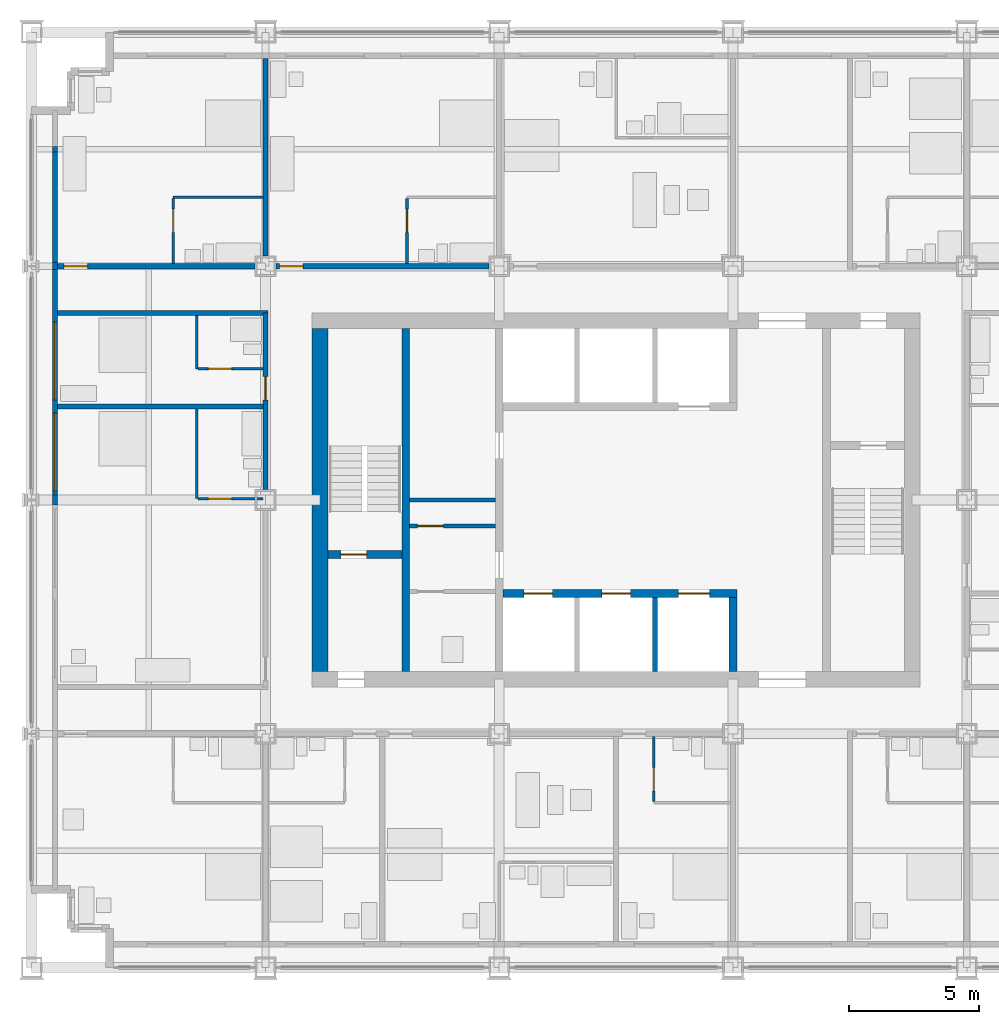
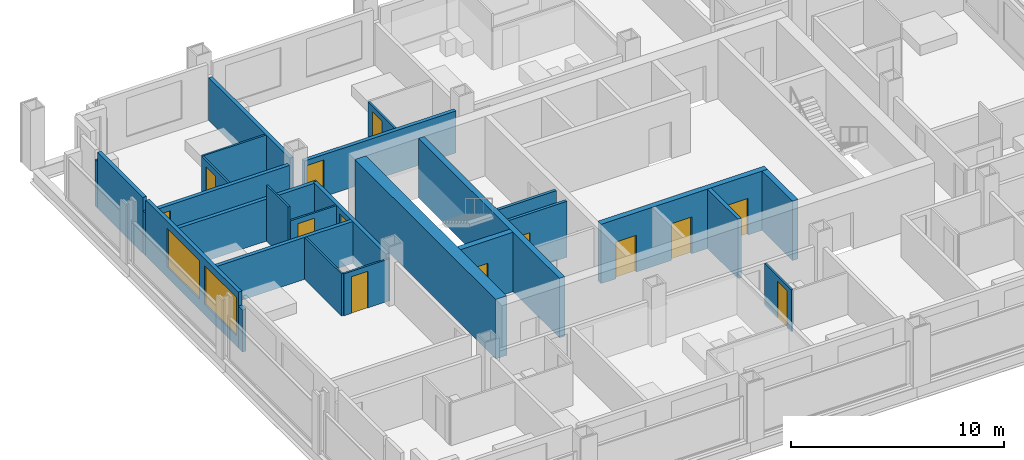
# One storey, part 10 of 16: 27 walls, 13 doors, 2 windows, 15 openings.
"""IFC4 building model written with IfcOpenShell, lengths in metres."""

from ifc_helpers import new_model, si_unit, direction, frame, frame_2d, origin, place, context, subcontext, project, spatial, rectangle, extrude, material, layer, layer_set, type_object, element, fill, save


model = new_model("IFC4")

# Units and contexts
model_context = context("Model", 3, precision=1e-05, world=origin(), true_north=direction((0.0, 1.0)))
body_context = subcontext(model_context, "Body", "Model", "MODEL_VIEW")
ifc_project = project(units=[si_unit("LENGTHUNIT", "METRE"), si_unit("AREAUNIT", "SQUARE_METRE"), si_unit("VOLUMEUNIT", "CUBIC_METRE"), si_unit("PLANEANGLEUNIT", "RADIAN"), si_unit("MASSUNIT", "GRAM", prefix="KILO")], contexts=[model_context])

# Site, building, storey
site_placement = place(None, origin())
site = spatial("IfcSite", under=ifc_project, at=site_placement, CompositionType="ELEMENT")
building_placement = place(site_placement, origin())
building = spatial("IfcBuilding", under=site, at=building_placement, Name="Loomwork Tower", CompositionType="ELEMENT")
storey_placement = place(building_placement, frame((0.0, 0.0, 121.39990234375)))
storey = spatial("IfcBuildingStorey", under=building, at=storey_placement, Name="L32", CompositionType="ELEMENT", Elevation=121.39990234375)

# Wall
ifc_material_1 = material(Name="Concrete 14000 psi (97 MPa)", Category="concrete")
ifc_layer_1 = layer(ifc_material_1, 0.300048828125)
ifc_layer_set_1 = layer_set([ifc_layer_1], Name="Core shear wall 300")
wall_type_1 = type_object("IfcWallType", Name="Core shear wall 300", PredefinedType="SHEAR", material=ifc_layer_set_1)
wall_1_placement = place(storey_placement, frame((14.39990234375, 11.39990234375, 0.0), z_axis=(0.0, 0.0, 1.0), x_axis=(0.0, 1.0, 0.0)))
element("IfcWall", 1, at=wall_1_placement, inside=storey, type_object=wall_type_1, Name="Stair A east wall L32", PredefinedType="SHEAR", context=body_context, shape_type="SweptSolid", body=[
    extrude(rectangle(XDim=13.2001953125, YDim=0.300048828125, at=frame_2d((6.60009765625, 0.0))), origin(), (0.0, 0.0, 1.0), 3.400146484375),
])

# Wall, opening, door
wall_2_placement = place(storey_placement, frame((11.39990234375, 15.89990234375, 0.0), z_axis=(0.0, 0.0, 1.0), x_axis=(1.0, 0.0, 0.0)))
wall_2 = element("IfcWall", 2, at=wall_2_placement, inside=storey, type_object=wall_type_1, Name="Stair A south wall L32", PredefinedType="SHEAR", context=body_context, shape_type="SweptSolid", body=[
    extrude(rectangle(XDim=2.85009765625, YDim=0.300048828125, at=frame_2d((1.425048828125, 0.0))), origin(), (0.0, 0.0, 1.0), 3.400146484375),
])
opening_1_placement = place(wall_2_placement, frame((0.5, 0.0, 0.0)))
opening_1 = element("IfcOpeningElement", 3, at=opening_1_placement, cuts=wall_2, Name="Opening D4", PredefinedType="OPENING", context=body_context, shape_type="SweptSolid", body=[
    extrude(rectangle(XDim=1.0, YDim=2.10009765625, at=frame_2d((0.5, 1.050048828125))), frame((0.0, 0.159912109375, 0.0), z_axis=(0.0, -1.0, 0.0), x_axis=(1.0, 0.0, 0.0)), (0.0, 0.0, 1.0), 0.320068359375),
])
ifc_material_2 = material(Name="Hollow metal door and frame")
door_type_1 = type_object("IfcDoorType", Name="Stair door 1000", OperationType="SINGLE_SWING_RIGHT", PredefinedType="DOOR", material=ifc_material_2)
door_1_placement = place(opening_1_placement, origin())
door_1 = element("IfcDoor", 4, at=door_1_placement, inside=storey, type_object=door_type_1, Name="Stair A door", OperationType="SINGLE_SWING_LEFT", OverallHeight=2.10009765625, OverallWidth=1.0, PredefinedType="DOOR", context=body_context, shape_type="SweptSolid", body=[
    extrude(rectangle(XDim=1.0, YDim=2.10009765625, at=frame_2d((0.5, 1.050048828125))), frame((0.0, 0.02490234375, 0.0), z_axis=(0.0, -1.0, 0.0), x_axis=(1.0, 0.0, 0.0)), (0.0, 0.0, 1.0), 0.050048828125),
])
fill(opening_1, door_1)

# Wall, openings, doors
wall_3_placement = place(storey_placement, frame((18.14990234375, 14.39990234375, 0.0), z_axis=(0.0, 0.0, 1.0), x_axis=(1.0, 0.0, 0.0)))
wall_3 = element("IfcWall", 5, at=wall_3_placement, inside=storey, type_object=wall_type_1, Name="Lift front wall south L32", PredefinedType="SHEAR", context=body_context, shape_type="SweptSolid", body=[
    extrude(rectangle(XDim=9.0, YDim=0.300048828125, at=frame_2d((4.5, 0.0))), origin(), (0.0, 0.0, 1.0), 3.400146484375),
])
opening_2_placement = place(wall_3_placement, frame((0.800048828125, 0.0, 0.0)))
opening_2 = element("IfcOpeningElement", 6, at=opening_2_placement, cuts=wall_3, Name="Opening LD1", PredefinedType="OPENING", context=body_context, shape_type="SweptSolid", body=[
    extrude(rectangle(XDim=1.10009765625, YDim=2.10009765625, at=frame_2d((0.550048828125, 1.050048828125))), frame((0.0, 0.159912109375, 0.0), z_axis=(0.0, -1.0, 0.0), x_axis=(1.0, 0.0, 0.0)), (0.0, 0.0, 1.0), 0.320068359375),
])
opening_3_placement = place(wall_3_placement, frame((3.800048828125, 0.0, 0.0)))
opening_3 = element("IfcOpeningElement", 7, at=opening_3_placement, cuts=wall_3, Name="Opening LD1", PredefinedType="OPENING", context=body_context, shape_type="SweptSolid", body=[
    extrude(rectangle(XDim=1.10009765625, YDim=2.10009765625, at=frame_2d((0.550048828125, 1.050048828125))), frame((0.0, 0.159912109375, 0.0), z_axis=(0.0, -1.0, 0.0), x_axis=(1.0, 0.0, 0.0)), (0.0, 0.0, 1.0), 0.320068359375),
])
opening_4_placement = place(wall_3_placement, frame((6.75, 0.0, 0.0)))
opening_4 = element("IfcOpeningElement", 8, at=opening_4_placement, cuts=wall_3, Name="Opening LD2", PredefinedType="OPENING", context=body_context, shape_type="SweptSolid", body=[
    extrude(rectangle(XDim=1.199951171875, YDim=2.10009765625, at=frame_2d((0.60009765625, 1.050048828125))), frame((0.0, 0.159912109375, 0.0), z_axis=(0.0, -1.0, 0.0), x_axis=(1.0, 0.0, 0.0)), (0.0, 0.0, 1.0), 0.320068359375),
])
ifc_material_3 = material(Name="Hollow metal door and frame")
door_type_2 = type_object("IfcDoorType", Name="Lift landing door 1100", OperationType="SLIDING_TO_LEFT", PredefinedType="DOOR", material=ifc_material_3)
door_2_placement = place(opening_2_placement, origin())
door_2 = element("IfcDoor", 9, at=door_2_placement, inside=storey, type_object=door_type_2, Name="Lift landing door LB1", OperationType="SLIDING_TO_LEFT", OverallHeight=2.10009765625, OverallWidth=1.10009765625, PredefinedType="DOOR", context=body_context, shape_type="SweptSolid", body=[
    extrude(rectangle(XDim=1.10009765625, YDim=2.10009765625, at=frame_2d((0.550048828125, 1.050048828125))), frame((0.0, 0.02490234375, 0.0), z_axis=(0.0, -1.0, 0.0), x_axis=(1.0, 0.0, 0.0)), (0.0, 0.0, 1.0), 0.050048828125),
])
fill(opening_2, door_2)
door_3_placement = place(opening_3_placement, origin())
door_3 = element("IfcDoor", 10, at=door_3_placement, inside=storey, type_object=door_type_2, Name="Lift landing door LB2", OperationType="SLIDING_TO_LEFT", OverallHeight=2.10009765625, OverallWidth=1.10009765625, PredefinedType="DOOR", context=body_context, shape_type="SweptSolid", body=[
    extrude(rectangle(XDim=1.10009765625, YDim=2.10009765625, at=frame_2d((0.550048828125, 1.050048828125))), frame((0.0, 0.02490234375, 0.0), z_axis=(0.0, -1.0, 0.0), x_axis=(1.0, 0.0, 0.0)), (0.0, 0.0, 1.0), 0.050048828125),
])
fill(opening_3, door_3)
ifc_material_4 = material(Name="Hollow metal door and frame")
door_type_3 = type_object("IfcDoorType", Name="Lift landing door 1200", OperationType="SLIDING_TO_LEFT", PredefinedType="DOOR", material=ifc_material_4)
door_4_placement = place(opening_4_placement, origin())
door_4 = element("IfcDoor", 11, at=door_4_placement, inside=storey, type_object=door_type_3, Name="Lift landing door LF1", OperationType="SLIDING_TO_LEFT", OverallHeight=2.10009765625, OverallWidth=1.199951171875, PredefinedType="DOOR", context=body_context, shape_type="SweptSolid", body=[
    extrude(rectangle(XDim=1.199951171875, YDim=2.10009765625, at=frame_2d((0.60009765625, 1.050048828125))), frame((0.0, 0.02490234375, 0.0), z_axis=(0.0, -1.0, 0.0), x_axis=(1.0, 0.0, 0.0)), (0.0, 0.0, 1.0), 0.050048828125),
])
fill(opening_4, door_4)

# Walls
wall_4_placement = place(storey_placement, frame((27.0, 11.39990234375, 0.0), z_axis=(0.0, 0.0, 1.0), x_axis=(0.0, 1.0, 0.0)))
element("IfcWall", 12, at=wall_4_placement, inside=storey, type_object=wall_type_1, Name="Lift shaft end wall south L32", PredefinedType="SHEAR", context=body_context, shape_type="SweptSolid", body=[
    extrude(rectangle(XDim=2.85009765625, YDim=0.300048828125, at=frame_2d((1.425048828125, 0.0))), origin(), (0.0, 0.0, 1.0), 3.400146484375),
])
ifc_material_5 = material(Name="Concrete 14000 psi (97 MPa)", Category="concrete")
ifc_layer_2 = layer(ifc_material_5, 0.60009765625)
ifc_layer_set_2 = layer_set([ifc_layer_2], Name="Core shear wall 600")
wall_type_2 = type_object("IfcWallType", Name="Core shear wall 600", PredefinedType="SHEAR", material=ifc_layer_set_2)
wall_5_placement = place(storey_placement, frame((11.10009765625, 11.39990234375, 0.0), z_axis=(0.0, 0.0, 1.0), x_axis=(0.0, 1.0, 0.0)))
element("IfcWall", 13, at=wall_5_placement, inside=storey, type_object=wall_type_2, Name="Core wall west L32", PredefinedType="SHEAR", context=body_context, shape_type="SweptSolid", body=[
    extrude(rectangle(XDim=13.2001953125, YDim=0.60009765625, at=frame_2d((6.60009765625, 0.0))), origin(), (0.0, 0.0, 1.0), 3.400146484375),
])

# Wall, opening, door
ifc_material_6 = material(Name="Gypsum board on steel studs, one-hour", Category="steel")
ifc_layer_3 = layer(ifc_material_6, 0.199951171875)
ifc_layer_set_3 = layer_set([ifc_layer_3], Name="Corridor wall 200")
wall_type_3 = type_object("IfcWallType", Name="Corridor wall 200", PredefinedType="PARTITIONING", material=ifc_layer_set_3)
wall_6_placement = place(storey_placement, frame((1.0, 27.0, 0.0), z_axis=(0.0, 0.0, 1.0), x_axis=(1.0, 0.0, 0.0)))
wall_6 = element("IfcWall", 14, at=wall_6_placement, inside=storey, type_object=wall_type_3, Name="North corridor wall 1", PredefinedType="PARTITIONING", context=body_context, shape_type="SweptSolid", body=[
    extrude(rectangle(XDim=7.60009765625, YDim=0.199951171875, at=frame_2d((3.800048828125, 0.0))), origin(), (0.0, 0.0, 1.0), 2.43798828125),
])
opening_5_placement = place(wall_6_placement, frame((0.25, 0.0, 0.0)))
opening_5 = element("IfcOpeningElement", 15, at=opening_5_placement, cuts=wall_6, Name="Opening D1", PredefinedType="OPENING", context=body_context, shape_type="SweptSolid", body=[
    extrude(rectangle(XDim=0.89990234375, YDim=2.10009765625, at=frame_2d((0.449951171875, 1.050048828125))), frame((0.0, 0.10986328125, 0.0), z_axis=(0.0, -1.0, 0.0), x_axis=(1.0, 0.0, 0.0)), (0.0, 0.0, 1.0), 0.219970703125),
])
ifc_material_7 = material(Name="Hollow metal door and frame")
door_type_4 = type_object("IfcDoorType", Name="Guest room entry door 900", OperationType="SINGLE_SWING_LEFT", PredefinedType="DOOR", material=ifc_material_7)
door_5_placement = place(opening_5_placement, origin())
door_5 = element("IfcDoor", 16, at=door_5_placement, inside=storey, type_object=door_type_4, Name="Guest room entry door L32 7", OperationType="SINGLE_SWING_LEFT", OverallHeight=2.10009765625, OverallWidth=0.89990234375, PredefinedType="DOOR", context=body_context, shape_type="SweptSolid", body=[
    extrude(rectangle(XDim=0.89990234375, YDim=2.10009765625, at=frame_2d((0.449951171875, 1.050048828125))), frame((0.0, 0.02490234375, 0.0), z_axis=(0.0, -1.0, 0.0), x_axis=(1.0, 0.0, 0.0)), (0.0, 0.0, 1.0), 0.050048828125),
])
fill(opening_5, door_5)

wall_7_placement = place(storey_placement, frame((9.39990234375, 27.0, 0.0), z_axis=(0.0, 0.0, 1.0), x_axis=(1.0, 0.0, 0.0)))
wall_7 = element("IfcWall", 17, at=wall_7_placement, inside=storey, type_object=wall_type_3, Name="North corridor wall 2", PredefinedType="PARTITIONING", context=body_context, shape_type="SweptSolid", body=[
    extrude(rectangle(XDim=8.2001953125, YDim=0.199951171875, at=frame_2d((4.10009765625, 0.0))), origin(), (0.0, 0.0, 1.0), 2.405029296875),
])
opening_6_placement = place(wall_7_placement, frame((0.14990234375, 0.0, 0.0)))
opening_6 = element("IfcOpeningElement", 18, at=opening_6_placement, cuts=wall_7, Name="Opening D1", PredefinedType="OPENING", context=body_context, shape_type="SweptSolid", body=[
    extrude(rectangle(XDim=0.89990234375, YDim=2.10009765625, at=frame_2d((0.449951171875, 1.050048828125))), frame((0.0, 0.10986328125, 0.0), z_axis=(0.0, -1.0, 0.0), x_axis=(1.0, 0.0, 0.0)), (0.0, 0.0, 1.0), 0.219970703125),
])
door_6_placement = place(opening_6_placement, origin())
door_6 = element("IfcDoor", 19, at=door_6_placement, inside=storey, type_object=door_type_4, Name="Guest room entry door L32 8", OperationType="SINGLE_SWING_LEFT", OverallHeight=2.10009765625, OverallWidth=0.89990234375, PredefinedType="DOOR", context=body_context, shape_type="SweptSolid", body=[
    extrude(rectangle(XDim=0.89990234375, YDim=2.10009765625, at=frame_2d((0.449951171875, 1.050048828125))), frame((0.0, 0.02490234375, 0.0), z_axis=(0.0, -1.0, 0.0), x_axis=(1.0, 0.0, 0.0)), (0.0, 0.0, 1.0), 0.050048828125),
])
fill(opening_6, door_6)

wall_8_placement = place(storey_placement, frame((9.0, 18.39990234375, 0.0), z_axis=(0.0, 0.0, 1.0), x_axis=(0.0, 1.0, 0.0)))
wall_8 = element("IfcWall", 20, at=wall_8_placement, inside=storey, type_object=wall_type_3, Name="West corridor wall 2", PredefinedType="PARTITIONING", context=body_context, shape_type="SweptSolid", body=[
    extrude(rectangle(XDim=6.800048828125, YDim=0.199951171875, at=frame_2d((3.39990234375, 0.0))), origin(), (0.0, 0.0, 1.0), 2.405029296875),
])
opening_7_placement = place(wall_8_placement, frame((3.449951171875, 0.0, 0.0)))
opening_7 = element("IfcOpeningElement", 21, at=opening_7_placement, cuts=wall_8, Name="Opening D1", PredefinedType="OPENING", context=body_context, shape_type="SweptSolid", body=[
    extrude(rectangle(XDim=0.89990234375, YDim=2.10009765625, at=frame_2d((0.449951171875, 1.050048828125))), frame((0.0, 0.10986328125, 0.0), z_axis=(0.0, -1.0, 0.0), x_axis=(1.0, 0.0, 0.0)), (0.0, 0.0, 1.0), 0.219970703125),
])
door_7_placement = place(opening_7_placement, origin())
door_7 = element("IfcDoor", 22, at=door_7_placement, inside=storey, type_object=door_type_4, Name="Guest room entry door L32 13", OperationType="SINGLE_SWING_LEFT", OverallHeight=2.10009765625, OverallWidth=0.89990234375, PredefinedType="DOOR", context=body_context, shape_type="SweptSolid", body=[
    extrude(rectangle(XDim=0.89990234375, YDim=2.10009765625, at=frame_2d((0.449951171875, 1.050048828125))), frame((0.0, 0.02490234375, 0.0), z_axis=(0.0, -1.0, 0.0), x_axis=(1.0, 0.0, 0.0)), (0.0, 0.0, 1.0), 0.050048828125),
])
fill(opening_7, door_7)

# Wall
wall_9_placement = place(storey_placement, frame((1.0, 25.199951171875, 0.0), z_axis=(0.0, 0.0, 1.0), x_axis=(1.0, 0.0, 0.0)))
element("IfcWall", 23, at=wall_9_placement, inside=storey, type_object=wall_type_3, Name="West band end wall N", PredefinedType="PARTITIONING", context=body_context, shape_type="SweptSolid", body=[
    extrude(rectangle(XDim=8.10009765625, YDim=0.199951171875, at=frame_2d((4.050048828125, 0.0))), origin(), (0.0, 0.0, 1.0), 2.404052734375),
])

# Wall, opening, door
ifc_material_8 = material(Name="Cement board on steel studs", Category="steel")
ifc_layer_4 = layer(ifc_material_8, 0.10009765625)
ifc_layer_set_4 = layer_set([ifc_layer_4], Name="En-suite partition 100")
wall_type_4 = type_object("IfcWallType", Name="En-suite partition 100", PredefinedType="PARTITIONING", material=ifc_layer_set_4)
wall_10_placement = place(storey_placement, frame((23.949951171875, 8.89990234375, 0.0), z_axis=(0.0, 0.0, 1.0), x_axis=(0.0, -1.0, 0.0)))
wall_10 = element("IfcWall", 24, at=wall_10_placement, inside=storey, type_object=wall_type_4, Name="En-suite side wall L32 room 4", PredefinedType="PARTITIONING", context=body_context, shape_type="SweptSolid", body=[
    extrude(rectangle(XDim=2.5, YDim=0.10009765625, at=frame_2d((1.25, 0.0))), origin(), (0.0, 0.0, 1.0), 2.404052734375),
])
opening_8_placement = place(wall_10_placement, frame((1.199951171875, 0.0, 0.0)))
opening_8 = element("IfcOpeningElement", 25, at=opening_8_placement, cuts=wall_10, Name="Opening D2", PredefinedType="OPENING", context=body_context, shape_type="SweptSolid", body=[
    extrude(rectangle(XDim=0.89990234375, YDim=2.10009765625, at=frame_2d((0.449951171875, 1.050048828125))), frame((0.0, 0.06005859375, 0.0), z_axis=(0.0, -1.0, 0.0), x_axis=(1.0, 0.0, 0.0)), (0.0, 0.0, 1.0), 0.1201171875),
])
ifc_material_9 = material(Name="Hollow metal door and frame")
door_type_5 = type_object("IfcDoorType", Name="En-suite door 900", OperationType="SINGLE_SWING_LEFT", PredefinedType="DOOR", material=ifc_material_9)
door_8_placement = place(opening_8_placement, origin())
door_8 = element("IfcDoor", 26, at=door_8_placement, inside=storey, type_object=door_type_5, Name="En-suite door room 4", OperationType="SINGLE_SWING_RIGHT", OverallHeight=2.10009765625, OverallWidth=0.89990234375, PredefinedType="DOOR", context=body_context, shape_type="SweptSolid", body=[
    extrude(rectangle(XDim=0.89990234375, YDim=2.10009765625, at=frame_2d((0.449951171875, 1.050048828125))), frame((0.0, 0.02490234375, 0.0), z_axis=(0.0, -1.0, 0.0), x_axis=(1.0, 0.0, 0.0)), (0.0, 0.0, 1.0), 0.050048828125),
])
fill(opening_8, door_8)

# Wall
wall_11_placement = place(storey_placement, frame((5.449951171875, 29.64990234375, 0.0), z_axis=(0.0, 0.0, 1.0), x_axis=(1.0, 0.0, 0.0)))
element("IfcWall", 27, at=wall_11_placement, inside=storey, type_object=wall_type_4, Name="En-suite wall L32 room 7", PredefinedType="PARTITIONING", context=body_context, shape_type="SweptSolid", body=[
    extrude(rectangle(XDim=3.449951171875, YDim=0.10009765625, at=frame_2d((1.72509765625, 0.0))), origin(), (0.0, 0.0, 1.0), 2.43798828125),
])

# Wall, opening, door
wall_12_placement = place(storey_placement, frame((5.449951171875, 27.10009765625, 0.0), z_axis=(0.0, 0.0, 1.0), x_axis=(0.0, 1.0, 0.0)))
wall_12 = element("IfcWall", 28, at=wall_12_placement, inside=storey, type_object=wall_type_4, Name="En-suite side wall L32 room 7", PredefinedType="PARTITIONING", context=body_context, shape_type="SweptSolid", body=[
    extrude(rectangle(XDim=2.5, YDim=0.10009765625, at=frame_2d((1.25, 0.0))), origin(), (0.0, 0.0, 1.0), 2.43798828125),
])
opening_9_placement = place(wall_12_placement, frame((1.199951171875, 0.0, 0.0)))
opening_9 = element("IfcOpeningElement", 29, at=opening_9_placement, cuts=wall_12, Name="Opening D2", PredefinedType="OPENING", context=body_context, shape_type="SweptSolid", body=[
    extrude(rectangle(XDim=0.89990234375, YDim=2.10009765625, at=frame_2d((0.449951171875, 1.050048828125))), frame((0.0, 0.06005859375, 0.0), z_axis=(0.0, -1.0, 0.0), x_axis=(1.0, 0.0, 0.0)), (0.0, 0.0, 1.0), 0.1201171875),
])
door_9_placement = place(opening_9_placement, frame((0.89990234375, 0.0, 0.0), z_axis=(0.0, 0.0, 1.0), x_axis=(-1.0, 0.0, 0.0)))
door_9 = element("IfcDoor", 30, at=door_9_placement, inside=storey, type_object=door_type_5, Name="En-suite door room 7", OperationType="SINGLE_SWING_LEFT", OverallHeight=2.10009765625, OverallWidth=0.89990234375, PredefinedType="DOOR", context=body_context, shape_type="SweptSolid", body=[
    extrude(rectangle(XDim=0.89990234375, YDim=2.10009765625, at=frame_2d((0.449951171875, 1.050048828125))), frame((0.0, 0.02490234375, 0.0), z_axis=(0.0, -1.0, 0.0), x_axis=(1.0, 0.0, 0.0)), (0.0, 0.0, 1.0), 0.050048828125),
])
fill(opening_9, door_9)

wall_13_placement = place(storey_placement, frame((14.449951171875, 27.10009765625, 0.0), z_axis=(0.0, 0.0, 1.0), x_axis=(0.0, 1.0, 0.0)))
wall_13 = element("IfcWall", 31, at=wall_13_placement, inside=storey, type_object=wall_type_4, Name="En-suite side wall L32 room 8", PredefinedType="PARTITIONING", context=body_context, shape_type="SweptSolid", body=[
    extrude(rectangle(XDim=2.5, YDim=0.10009765625, at=frame_2d((1.25, 0.0))), origin(), (0.0, 0.0, 1.0), 2.404052734375),
])
opening_10_placement = place(wall_13_placement, frame((1.199951171875, 0.0, 0.0)))
opening_10 = element("IfcOpeningElement", 32, at=opening_10_placement, cuts=wall_13, Name="Opening D2", PredefinedType="OPENING", context=body_context, shape_type="SweptSolid", body=[
    extrude(rectangle(XDim=0.89990234375, YDim=2.10009765625, at=frame_2d((0.449951171875, 1.050048828125))), frame((0.0, 0.06005859375, 0.0), z_axis=(0.0, -1.0, 0.0), x_axis=(1.0, 0.0, 0.0)), (0.0, 0.0, 1.0), 0.1201171875),
])
door_10_placement = place(opening_10_placement, frame((0.89990234375, 0.0, 0.0), z_axis=(0.0, 0.0, 1.0), x_axis=(-1.0, 0.0, 0.0)))
door_10 = element("IfcDoor", 33, at=door_10_placement, inside=storey, type_object=door_type_5, Name="En-suite door room 8", OperationType="SINGLE_SWING_LEFT", OverallHeight=2.10009765625, OverallWidth=0.89990234375, PredefinedType="DOOR", context=body_context, shape_type="SweptSolid", body=[
    extrude(rectangle(XDim=0.89990234375, YDim=2.10009765625, at=frame_2d((0.449951171875, 1.050048828125))), frame((0.0, 0.02490234375, 0.0), z_axis=(0.0, -1.0, 0.0), x_axis=(1.0, 0.0, 0.0)), (0.0, 0.0, 1.0), 0.050048828125),
])
fill(opening_10, door_10)

# Wall
wall_14_placement = place(storey_placement, frame((6.35009765625, 18.050048828125, 0.0), z_axis=(0.0, 0.0, 1.0), x_axis=(0.0, 1.0, 0.0)))
element("IfcWall", 34, at=wall_14_placement, inside=storey, type_object=wall_type_4, Name="En-suite wall L32 room 12", PredefinedType="PARTITIONING", context=body_context, shape_type="SweptSolid", body=[
    extrude(rectangle(XDim=3.449951171875, YDim=0.10009765625, at=frame_2d((1.72509765625, 0.0))), origin(), (0.0, 0.0, 1.0), 2.404052734375),
])

# Wall, opening, door
wall_15_placement = place(storey_placement, frame((8.89990234375, 18.050048828125, 0.0), z_axis=(0.0, 0.0, 1.0), x_axis=(-1.0, 0.0, 0.0)))
wall_15 = element("IfcWall", 35, at=wall_15_placement, inside=storey, type_object=wall_type_4, Name="En-suite side wall L32 room 12", PredefinedType="PARTITIONING", context=body_context, shape_type="SweptSolid", body=[
    extrude(rectangle(XDim=2.5, YDim=0.10009765625, at=frame_2d((1.25, 0.0))), origin(), (0.0, 0.0, 1.0), 2.405029296875),
])
opening_11_placement = place(wall_15_placement, frame((1.199951171875, 0.0, 0.0)))
opening_11 = element("IfcOpeningElement", 36, at=opening_11_placement, cuts=wall_15, Name="Opening D2", PredefinedType="OPENING", context=body_context, shape_type="SweptSolid", body=[
    extrude(rectangle(XDim=0.89990234375, YDim=2.10009765625, at=frame_2d((0.449951171875, 1.050048828125))), frame((0.0, 0.06005859375, 0.0), z_axis=(0.0, -1.0, 0.0), x_axis=(1.0, 0.0, 0.0)), (0.0, 0.0, 1.0), 0.1201171875),
])
door_11_placement = place(opening_11_placement, frame((0.89990234375, 0.0, 0.0), z_axis=(0.0, 0.0, 1.0), x_axis=(-1.0, 0.0, 0.0)))
door_11 = element("IfcDoor", 37, at=door_11_placement, inside=storey, type_object=door_type_5, Name="En-suite door room 12", OperationType="SINGLE_SWING_LEFT", OverallHeight=2.10009765625, OverallWidth=0.89990234375, PredefinedType="DOOR", context=body_context, shape_type="SweptSolid", body=[
    extrude(rectangle(XDim=0.89990234375, YDim=2.10009765625, at=frame_2d((0.449951171875, 1.050048828125))), frame((0.0, 0.02490234375, 0.0), z_axis=(0.0, -1.0, 0.0), x_axis=(1.0, 0.0, 0.0)), (0.0, 0.0, 1.0), 0.050048828125),
])
fill(opening_11, door_11)

# Wall
wall_16_placement = place(storey_placement, frame((6.35009765625, 23.050048828125, 0.0), z_axis=(0.0, 0.0, 1.0), x_axis=(0.0, 1.0, 0.0)))
element("IfcWall", 38, at=wall_16_placement, inside=storey, type_object=wall_type_4, Name="En-suite wall L32 room 13", PredefinedType="PARTITIONING", context=body_context, shape_type="SweptSolid", body=[
    extrude(rectangle(XDim=2.050048828125, YDim=0.10009765625, at=frame_2d((1.02490234375, 0.0))), origin(), (0.0, 0.0, 1.0), 3.2001953125),
])

# Wall, opening, door
wall_17_placement = place(storey_placement, frame((8.89990234375, 23.050048828125, 0.0), z_axis=(0.0, 0.0, 1.0), x_axis=(-1.0, 0.0, 0.0)))
wall_17 = element("IfcWall", 39, at=wall_17_placement, inside=storey, type_object=wall_type_4, Name="En-suite side wall L32 room 13", PredefinedType="PARTITIONING", context=body_context, shape_type="SweptSolid", body=[
    extrude(rectangle(XDim=2.5, YDim=0.10009765625, at=frame_2d((1.25, 0.0))), origin(), (0.0, 0.0, 1.0), 2.404052734375),
])
opening_12_placement = place(wall_17_placement, frame((1.199951171875, 0.0, 0.0)))
opening_12 = element("IfcOpeningElement", 40, at=opening_12_placement, cuts=wall_17, Name="Opening D2", PredefinedType="OPENING", context=body_context, shape_type="SweptSolid", body=[
    extrude(rectangle(XDim=0.89990234375, YDim=2.10009765625, at=frame_2d((0.449951171875, 1.050048828125))), frame((0.0, 0.06005859375, 0.0), z_axis=(0.0, -1.0, 0.0), x_axis=(1.0, 0.0, 0.0)), (0.0, 0.0, 1.0), 0.1201171875),
])
door_12_placement = place(opening_12_placement, frame((0.89990234375, 0.0, 0.0), z_axis=(0.0, 0.0, 1.0), x_axis=(-1.0, 0.0, 0.0)))
door_12 = element("IfcDoor", 41, at=door_12_placement, inside=storey, type_object=door_type_5, Name="En-suite door room 13", OperationType="SINGLE_SWING_LEFT", OverallHeight=2.10009765625, OverallWidth=0.89990234375, PredefinedType="DOOR", context=body_context, shape_type="SweptSolid", body=[
    extrude(rectangle(XDim=0.89990234375, YDim=2.10009765625, at=frame_2d((0.449951171875, 1.050048828125))), frame((0.0, 0.02490234375, 0.0), z_axis=(0.0, -1.0, 0.0), x_axis=(1.0, 0.0, 0.0)), (0.0, 0.0, 1.0), 0.050048828125),
])
fill(opening_12, door_12)

# Walls
ifc_material_10 = material(Name="Gypsum board on steel studs, acoustic", Category="steel")
ifc_layer_5 = layer(ifc_material_10, 0.199951171875)
ifc_layer_set_5 = layer_set([ifc_layer_5], Name="Guest room party wall 200")
wall_type_5 = type_object("IfcWallType", Name="Guest room party wall 200", PredefinedType="PARTITIONING", material=ifc_layer_set_5)
wall_18_placement = place(storey_placement, frame((9.0, 27.39990234375, 0.0), z_axis=(0.0, 0.0, 1.0), x_axis=(0.0, 1.0, 0.0)))
element("IfcWall", 42, at=wall_18_placement, inside=storey, type_object=wall_type_5, Name="Guest room party wall N 9", PredefinedType="PARTITIONING", context=body_context, shape_type="SweptSolid", body=[
    extrude(rectangle(XDim=7.60009765625, YDim=0.199951171875, at=frame_2d((3.800048828125, 0.0))), origin(), (0.0, 0.0, 1.0), 2.43798828125),
])
wall_19_placement = place(storey_placement, frame((8.89990234375, 21.60009765625, 0.0), z_axis=(0.0, 0.0, 1.0), x_axis=(-1.0, 0.0, 0.0)))
element("IfcWall", 43, at=wall_19_placement, inside=storey, type_object=wall_type_5, Name="Guest room party wall W 21.6", PredefinedType="PARTITIONING", context=body_context, shape_type="SweptSolid", body=[
    extrude(rectangle(XDim=7.89990234375, YDim=0.199951171875, at=frame_2d((3.949951171875, 0.0))), origin(), (0.0, 0.0, 1.0), 2.404052734375),
])
ifc_material_11 = material(Name="Insulated steel stud wall with gypsum lining", Category="steel")
ifc_layer_6 = layer(ifc_material_11, 0.199951171875)
ifc_layer_set_6 = layer_set([ifc_layer_6], Name="Inner skin wall 200")
wall_type_6 = type_object("IfcWallType", Name="Inner skin wall 200", PredefinedType="SOLIDWALL", material=ifc_layer_set_6)
wall_20_placement = place(storey_placement, frame((0.89990234375, 17.80615234375, 0.0), z_axis=(0.0, 0.0, 1.0), x_axis=(0.0, 1.0, 0.0)))
element("IfcWall", 44, at=wall_20_placement, inside=storey, type_object=wall_type_6, Name="Inner skin wall W bay 6", PredefinedType="SOLIDWALL", context=body_context, shape_type="SweptSolid", body=[
    extrude(rectangle(XDim=0.3876953125, YDim=0.199951171875, at=frame_2d((0.19384765625, 0.0))), origin(), (0.0, 0.0, 1.0), 2.404052734375),
])

# Wall, openings, windows
wall_21_placement = place(storey_placement, frame((0.89990234375, 18.19384765625, 0.0), z_axis=(0.0, 0.0, 1.0), x_axis=(0.0, 1.0, 0.0)))
wall_21 = element("IfcWall", 45, at=wall_21_placement, inside=storey, type_object=wall_type_6, Name="Inner skin wall W bay 7", PredefinedType="SOLIDWALL", context=body_context, shape_type="SweptSolid", body=[
    extrude(rectangle(XDim=8.6708984375, YDim=0.199951171875, at=frame_2d((4.33544921875, 0.0))), origin(), (0.0, 0.0, 1.0), 3.2001953125),
])
opening_13_placement = place(wall_21_placement, frame((0.15625, 0.0, 0.60009765625)))
opening_13 = element("IfcOpeningElement", 46, at=opening_13_placement, cuts=wall_21, Name="Opening CH1", PredefinedType="OPENING", context=body_context, shape_type="SweptSolid", body=[
    extrude(rectangle(XDim=3.0, YDim=2.199951171875, at=frame_2d((1.5, 1.10009765625))), frame((0.0, 0.10986328125, 0.0), z_axis=(0.0, -1.0, 0.0), x_axis=(1.0, 0.0, 0.0)), (0.0, 0.0, 1.0), 0.219970703125),
])
opening_14_placement = place(wall_21_placement, frame((3.65625, 0.0, 0.60009765625)))
opening_14 = element("IfcOpeningElement", 47, at=opening_14_placement, cuts=wall_21, Name="Opening CH1", PredefinedType="OPENING", context=body_context, shape_type="SweptSolid", body=[
    extrude(rectangle(XDim=3.0, YDim=2.199951171875, at=frame_2d((1.5, 1.10009765625))), frame((0.0, 0.10986328125, 0.0), z_axis=(0.0, -1.0, 0.0), x_axis=(1.0, 0.0, 0.0)), (0.0, 0.0, 1.0), 0.219970703125),
])
ifc_material_12 = material(Name="Aluminium frame with clear insulated glass", Category="aluminium")
window_type = type_object("IfcWindowType", Name="Chicago window 3000", PartitioningType="TRIPLE_PANEL_VERTICAL", PredefinedType="WINDOW", material=ifc_material_12)
window_1_placement = place(opening_13_placement, origin())
window_1 = element("IfcWindow", 48, at=window_1_placement, inside=storey, type_object=window_type, Name="Chicago window L32 bay 12", OverallHeight=2.199951171875, OverallWidth=3.0, PartitioningType="TRIPLE_PANEL_VERTICAL", PredefinedType="WINDOW", context=body_context, shape_type="SweptSolid", body=[
    extrude(rectangle(XDim=3.0, YDim=2.199951171875, at=frame_2d((1.5, 1.10009765625))), frame((0.0, 0.030029296875, 0.0), z_axis=(0.0, -1.0, 0.0), x_axis=(1.0, 0.0, 0.0)), (0.0, 0.0, 1.0), 0.06005859375),
])
fill(opening_13, window_1)
window_2_placement = place(opening_14_placement, origin())
window_2 = element("IfcWindow", 49, at=window_2_placement, inside=storey, type_object=window_type, Name="Chicago window L32 bay 12", OverallHeight=2.199951171875, OverallWidth=3.0, PartitioningType="TRIPLE_PANEL_VERTICAL", PredefinedType="WINDOW", context=body_context, shape_type="SweptSolid", body=[
    extrude(rectangle(XDim=3.0, YDim=2.199951171875, at=frame_2d((1.5, 1.10009765625))), frame((0.0, 0.030029296875, 0.0), z_axis=(0.0, -1.0, 0.0), x_axis=(1.0, 0.0, 0.0)), (0.0, 0.0, 1.0), 0.06005859375),
])
fill(opening_14, window_2)

# Walls
wall_22_placement = place(storey_placement, frame((0.89990234375, 26.86474609375, 0.0), z_axis=(0.0, 0.0, 1.0), x_axis=(0.0, 1.0, 0.0)))
element("IfcWall", 50, at=wall_22_placement, inside=storey, type_object=wall_type_6, Name="Inner skin wall W bay 8", PredefinedType="SOLIDWALL", context=body_context, shape_type="SweptSolid", body=[
    extrude(rectangle(XDim=0.2705078125, YDim=0.199951171875, at=frame_2d((0.13525390625, 0.0))), origin(), (0.0, 0.0, 1.0), 2.43798828125),
])
wall_23_placement = place(storey_placement, frame((0.89990234375, 27.13525390625, 0.0), z_axis=(0.0, 0.0, 1.0), x_axis=(0.0, 1.0, 0.0)))
element("IfcWall", 51, at=wall_23_placement, inside=storey, type_object=wall_type_6, Name="Inner skin wall W bay 9", PredefinedType="SOLIDWALL", context=body_context, shape_type="SweptSolid", body=[
    extrude(rectangle(XDim=4.25732421875, YDim=0.199951171875, at=frame_2d((2.128662109375, 0.0))), origin(), (0.0, 0.0, 1.0), 3.2001953125),
])
wall_24_placement = place(storey_placement, frame((0.89990234375, 31.392578125, 0.0), z_axis=(0.0, 0.0, 1.0), x_axis=(0.0, 1.0, 0.0)))
element("IfcWall", 52, at=wall_24_placement, inside=storey, type_object=wall_type_6, Name="Inner skin wall W bay 10", PredefinedType="SOLIDWALL", context=body_context, shape_type="SweptSolid", body=[
    extrude(rectangle(XDim=0.21484375, YDim=0.199951171875, at=frame_2d((0.107421875, 0.0))), origin(), (0.0, 0.0, 1.0), 2.6611328125),
])
ifc_material_13 = material(Name="Concrete 14000 psi (97 MPa)", Category="concrete")
ifc_layer_7 = layer(ifc_material_13, 0.199951171875)
ifc_layer_set_7 = layer_set([ifc_layer_7], Name="Lift shaft wall 200")
wall_type_7 = type_object("IfcWallType", Name="Lift shaft wall 200", PredefinedType="SHEAR", material=ifc_layer_set_7)
wall_25_placement = place(storey_placement, frame((24.0, 11.39990234375, 0.0), z_axis=(0.0, 0.0, 1.0), x_axis=(0.0, 1.0, 0.0)))
element("IfcWall", 53, at=wall_25_placement, inside=storey, type_object=wall_type_7, Name="Lift shaft separation wall south 2 L32", PredefinedType="SHEAR", context=body_context, shape_type="SweptSolid", body=[
    extrude(rectangle(XDim=2.85009765625, YDim=0.199951171875, at=frame_2d((1.425048828125, 0.0))), origin(), (0.0, 0.0, 1.0), 3.400146484375),
])
ifc_material_14 = material(Name="Gypsum board on steel studs", Category="steel")
ifc_layer_8 = layer(ifc_material_14, 0.14990234375)
ifc_layer_set_8 = layer_set([ifc_layer_8], Name="Partition 150 two-hour")
wall_type_8 = type_object("IfcWallType", Name="Partition 150 two-hour", PredefinedType="PARTITIONING", material=ifc_layer_set_8)
wall_26_placement = place(storey_placement, frame((14.550048828125, 18.0, 0.0), z_axis=(0.0, 0.0, 1.0), x_axis=(1.0, 0.0, 0.0)))
element("IfcWall", 54, at=wall_26_placement, inside=storey, type_object=wall_type_8, Name="Back-of-house dividing wall L32", PredefinedType="PARTITIONING", context=body_context, shape_type="SweptSolid", body=[
    extrude(rectangle(XDim=3.300048828125, YDim=0.14990234375, at=frame_2d((1.64990234375, 0.0))), origin(), (0.0, 0.0, 1.0), 3.2001953125),
])

# Wall, opening, door
ifc_material_15 = material(Name="Gypsum board on steel studs, one-hour", Category="steel")
ifc_layer_9 = layer(ifc_material_15, 0.14990234375)
ifc_layer_set_9 = layer_set([ifc_layer_9], Name="Service partition 150")
wall_type_9 = type_object("IfcWallType", Name="Service partition 150", PredefinedType="PARTITIONING", material=ifc_layer_set_9)
wall_27_placement = place(storey_placement, frame((14.550048828125, 17.0, 0.0), z_axis=(0.0, 0.0, 1.0), x_axis=(1.0, 0.0, 0.0)))
wall_27 = element("IfcWall", 55, at=wall_27_placement, inside=storey, type_object=wall_type_9, Name="Riser enclosure L32", PredefinedType="PARTITIONING", context=body_context, shape_type="SweptSolid", body=[
    extrude(rectangle(XDim=3.300048828125, YDim=0.14990234375, at=frame_2d((1.64990234375, 0.0))), origin(), (0.0, 0.0, 1.0), 3.2001953125),
])
opening_15_placement = place(wall_27_placement, frame((0.300048828125, 0.0, 0.0)))
opening_15 = element("IfcOpeningElement", 56, at=opening_15_placement, cuts=wall_27, Name="Opening D18", PredefinedType="OPENING", context=body_context, shape_type="SweptSolid", body=[
    extrude(rectangle(XDim=1.0, YDim=2.10009765625, at=frame_2d((0.5, 1.050048828125))), frame((0.0, 0.0849609375, 0.0), z_axis=(0.0, -1.0, 0.0), x_axis=(1.0, 0.0, 0.0)), (0.0, 0.0, 1.0), 0.169921875),
])
ifc_material_16 = material(Name="Hollow metal door and frame")
door_type_6 = type_object("IfcDoorType", Name="Ninety-minute service door 1000", OperationType="SINGLE_SWING_LEFT", PredefinedType="DOOR", material=ifc_material_16)
door_13_placement = place(opening_15_placement, frame((1.0, 0.0, 0.0), z_axis=(0.0, 0.0, 1.0), x_axis=(-1.0, 0.0, 0.0)))
door_13 = element("IfcDoor", 57, at=door_13_placement, inside=storey, type_object=door_type_6, Name="Riser access door", OperationType="SINGLE_SWING_RIGHT", OverallHeight=2.10009765625, OverallWidth=1.0, PredefinedType="DOOR", context=body_context, shape_type="SweptSolid", body=[
    extrude(rectangle(XDim=1.0, YDim=2.10009765625, at=frame_2d((0.5, 1.050048828125))), frame((0.0, 0.02490234375, 0.0), z_axis=(0.0, -1.0, 0.0), x_axis=(1.0, 0.0, 0.0)), (0.0, 0.0, 1.0), 0.050048828125),
])
fill(opening_15, door_13)

save(model, "model.ifc")
